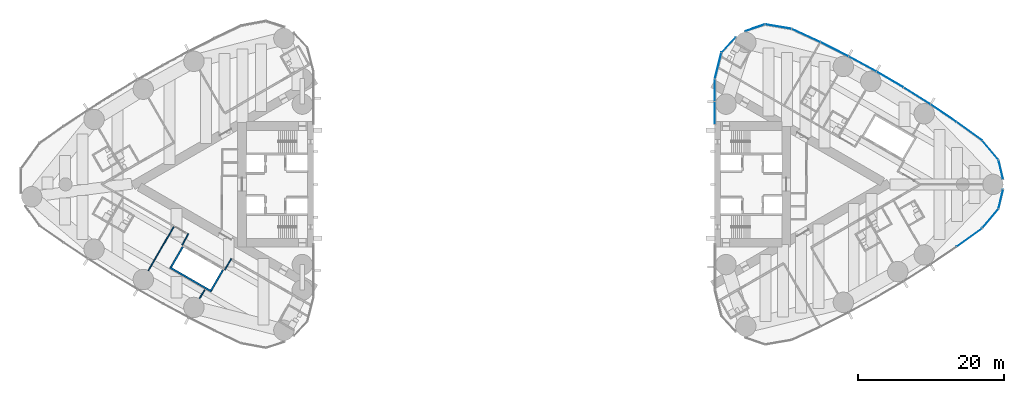
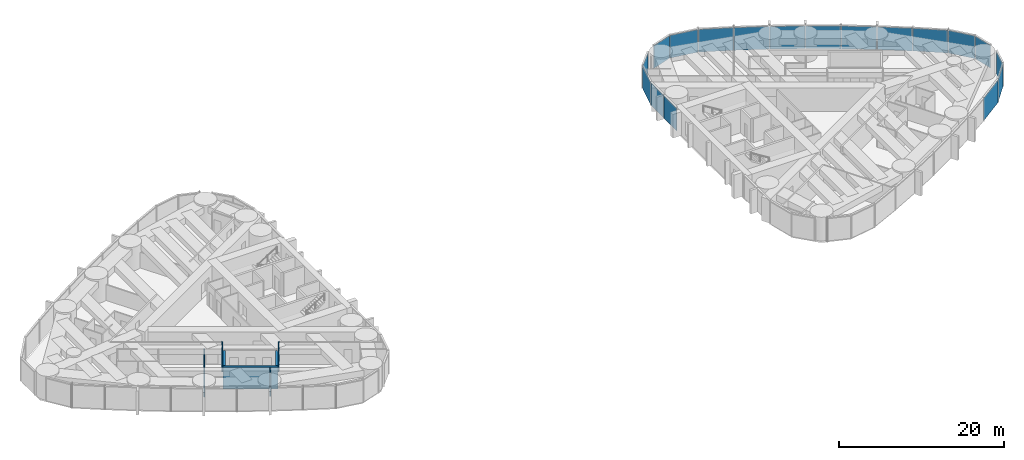
# One storey, part 11 of 19: 18 plates, 7 walls, 3 elements without a shape of their own.
"""IFC4 building model written with IfcOpenShell, lengths in metres."""

from ifc_helpers import new_model, si_unit, direction, frame, frame_2d, origin, origin_2d, place, context, subcontext, project, spatial, rectangle, extrude, material, layer, layer_set, type_object, element, aggregate, save


model = new_model("IFC4")

# Units and contexts
model_context = context("Model", 3, precision=1e-05, world=origin(), true_north=direction((0.0, 1.0)))
body_context = subcontext(model_context, "Body", "Model", "MODEL_VIEW")
ifc_project = project(units=[si_unit("LENGTHUNIT", "METRE"), si_unit("AREAUNIT", "SQUARE_METRE"), si_unit("VOLUMEUNIT", "CUBIC_METRE"), si_unit("PLANEANGLEUNIT", "RADIAN"), si_unit("MASSUNIT", "GRAM", prefix="KILO")], contexts=[model_context])

# Site, building, storey
site_placement = place(None, origin())
site = spatial("IfcSite", under=ifc_project, at=site_placement, CompositionType="ELEMENT")
building_placement = place(site_placement, origin())
building = spatial("IfcBuilding", under=site, at=building_placement, Name="Lancet Gate Hotel", CompositionType="ELEMENT")
storey_placement = place(building_placement, frame((0.0, 0.0, 163.300048828125)))
storey = spatial("IfcBuildingStorey", under=building, at=storey_placement, Name="L43", CompositionType="ELEMENT", Elevation=163.300048828125)

# Curtain wall, plates
ifc_material_1 = material(Name="Aluminium curtain wall", Category="aluminium")
curtain_wall_type = type_object("IfcCurtainWallType", Name="Tower unitised curtain wall", PredefinedType="USERDEFINED", material=ifc_material_1)
curtain_wall_1_placement = place(storey_placement, origin())
curtain_wall_1 = element("IfcCurtainWall", 1, at=curtain_wall_1_placement, inside=storey, type_object=curtain_wall_type, Name="T2 L43 curtain wall 2", ObjectType="UNITISED CURTAIN WALL", PredefinedType="USERDEFINED")
ifc_material_2 = material(Name="Glass double glazed unit 8-16-6", Category="glass")
ifc_layer_1 = layer(ifc_material_2, 0.030029296875)
ifc_layer_set_1 = layer_set([ifc_layer_1], Name="Vision panel double glazed")
plate_type = type_object("IfcPlateType", Name="Vision panel double glazed", PredefinedType="CURTAIN_PANEL", material=ifc_layer_set_1)
plate_1_placement = place(storey_placement, frame((62.417236328125, -7.279541015625, 0.0), z_axis=(0.0, 0.0, 1.0), x_axis=(0.810891442127, 0.585196607206, 0.0)))
plate_1 = element("IfcPlate", 2, at=plate_1_placement, type_object=plate_type, Name="T2 L43 curtain wall 2 panel 9", PredefinedType="CURTAIN_PANEL", context=body_context, shape_type="SweptSolid", body=[
    extrude(rectangle(XDim=4.26904296875, YDim=0.030029296875, at=origin_2d()), origin(), (0.0, 0.0, 1.0), 3.35009765625),
])
plate_2_placement = place(storey_placement, frame((65.283935546875, -4.68701171875, 0.0), z_axis=(0.0, 0.0, 1.0), x_axis=(0.642198636854, 0.766538264422, 0.0)))
plate_2 = element("IfcPlate", 3, at=plate_2_placement, type_object=plate_type, Name="T2 L43 curtain wall 2 panel 10", PredefinedType="CURTAIN_PANEL", context=body_context, shape_type="SweptSolid", body=[
    extrude(rectangle(XDim=3.390380859375, YDim=0.030029296875, at=origin_2d()), origin(), (0.0, 0.0, 1.0), 3.35009765625),
])
plate_3_placement = place(storey_placement, frame((66.710693359375, -2.0234375, 0.0), z_axis=(0.0, 0.0, 1.0), x_axis=(0.230366568544, 0.973103922558, 0.0)))
plate_3 = element("IfcPlate", 4, at=plate_3_placement, type_object=plate_type, Name="T2 L43 curtain wall 2 panel 11", PredefinedType="CURTAIN_PANEL", context=body_context, shape_type="SweptSolid", body=[
    extrude(rectangle(XDim=2.687255859375, YDim=0.030029296875, at=origin_2d()), origin(), (0.0, 0.0, 1.0), 3.35009765625),
])
aggregate(curtain_wall_1, [plate_1, plate_2, plate_3])

curtain_wall_2_placement = place(storey_placement, origin())
curtain_wall_2 = element("IfcCurtainWall", 5, at=curtain_wall_2_placement, inside=storey, type_object=curtain_wall_type, Name="T2 L43 curtain wall 3", ObjectType="UNITISED CURTAIN WALL", PredefinedType="USERDEFINED")
plate_4_placement = place(storey_placement, frame((66.710693359375, 2.0234375, 0.0), z_axis=(0.0, 0.0, 1.0), x_axis=(-0.230366568544, 0.973103922558, 0.0)))
plate_4 = element("IfcPlate", 6, at=plate_4_placement, type_object=plate_type, Name="T2 L43 curtain wall 3 panel 1", PredefinedType="CURTAIN_PANEL", context=body_context, shape_type="SweptSolid", body=[
    extrude(rectangle(XDim=2.687255859375, YDim=0.030029296875, at=origin_2d()), origin(), (0.0, 0.0, 1.0), 3.35009765625),
])
plate_5_placement = place(storey_placement, frame((65.283935546875, 4.68701171875, 0.0), z_axis=(0.0, 0.0, 1.0), x_axis=(-0.642198636854, 0.766538264422, 0.0)))
plate_5 = element("IfcPlate", 7, at=plate_5_placement, type_object=plate_type, Name="T2 L43 curtain wall 3 panel 2", PredefinedType="CURTAIN_PANEL", context=body_context, shape_type="SweptSolid", body=[
    extrude(rectangle(XDim=3.390380859375, YDim=0.030029296875, at=origin_2d()), origin(), (0.0, 0.0, 1.0), 3.35009765625),
])
plate_6_placement = place(storey_placement, frame((62.417236328125, 7.279541015625, 0.0), z_axis=(0.0, 0.0, 1.0), x_axis=(-0.810891442127, 0.585196607206, 0.0)))
plate_6 = element("IfcPlate", 8, at=plate_6_placement, type_object=plate_type, Name="T2 L43 curtain wall 3 panel 3", PredefinedType="CURTAIN_PANEL", context=body_context, shape_type="SweptSolid", body=[
    extrude(rectangle(XDim=4.26904296875, YDim=0.030029296875, at=origin_2d()), origin(), (0.0, 0.0, 1.0), 3.35009765625),
])
plate_7_placement = place(storey_placement, frame((58.863525390625, 9.75927734375, 0.0), z_axis=(0.0, 0.0, 1.0), x_axis=(-0.829038793948, 0.559191092677, 0.0)))
plate_7 = element("IfcPlate", 9, at=plate_7_placement, type_object=plate_type, Name="T2 L43 curtain wall 3 panel 4", PredefinedType="CURTAIN_PANEL", context=body_context, shape_type="SweptSolid", body=[
    extrude(rectangle(XDim=4.26904296875, YDim=0.030029296875, at=origin_2d()), origin(), (0.0, 0.0, 1.0), 3.35009765625),
])
plate_8_placement = place(storey_placement, frame((55.233154296875, 12.125244140625, 0.0), z_axis=(0.0, 0.0, 1.0), x_axis=(-0.846352453444, 0.532623248225, 0.0)))
plate_8 = element("IfcPlate", 10, at=plate_8_placement, type_object=plate_type, Name="T2 L43 curtain wall 3 panel 5", PredefinedType="CURTAIN_PANEL", context=body_context, shape_type="SweptSolid", body=[
    extrude(rectangle(XDim=4.26904296875, YDim=0.030029296875, at=origin_2d()), origin(), (0.0, 0.0, 1.0), 3.35009765625),
])
plate_9_placement = place(storey_placement, frame((51.529296875, 14.374755859375, 0.0), z_axis=(0.0, 0.0, 1.0), x_axis=(-0.862815009772, 0.505519790822, 0.0)))
plate_9 = element("IfcPlate", 11, at=plate_9_placement, type_object=plate_type, Name="T2 L43 curtain wall 3 panel 6", PredefinedType="CURTAIN_PANEL", context=body_context, shape_type="SweptSolid", body=[
    extrude(rectangle(XDim=4.26904296875, YDim=0.030029296875, at=origin_2d()), origin(), (0.0, 0.0, 1.0), 3.35009765625),
])
plate_10_placement = place(storey_placement, frame((47.756103515625, 16.505859375, 0.0), z_axis=(0.0, 0.0, 1.0), x_axis=(-0.878409907967, 0.477907976063, 0.0)))
plate_10 = element("IfcPlate", 12, at=plate_10_placement, type_object=plate_type, Name="T2 L43 curtain wall 3 panel 7", PredefinedType="CURTAIN_PANEL", context=body_context, shape_type="SweptSolid", body=[
    extrude(rectangle(XDim=4.26904296875, YDim=0.030029296875, at=origin_2d()), origin(), (0.0, 0.0, 1.0), 3.35009765625),
])
plate_11_placement = place(storey_placement, frame((43.917236328125, 18.516357421875, 0.0), z_axis=(0.0, 0.0, 1.0), x_axis=(-0.893121465596, 0.449815570752, 0.0)))
plate_11 = element("IfcPlate", 13, at=plate_11_placement, type_object=plate_type, Name="T2 L43 curtain wall 3 panel 8", PredefinedType="CURTAIN_PANEL", context=body_context, shape_type="SweptSolid", body=[
    extrude(rectangle(XDim=4.26904296875, YDim=0.030029296875, at=origin_2d()), origin(), (0.0, 0.0, 1.0), 3.35009765625),
])
plate_12_placement = place(storey_placement, frame((40.0166015625, 20.40380859375, 0.0), z_axis=(0.0, 0.0, 1.0), x_axis=(-0.906934888522, 0.421270824982, 0.0)))
plate_12 = element("IfcPlate", 14, at=plate_12_placement, type_object=plate_type, Name="T2 L43 curtain wall 3 panel 9", PredefinedType="CURTAIN_PANEL", context=body_context, shape_type="SweptSolid", body=[
    extrude(rectangle(XDim=4.26904296875, YDim=0.030029296875, at=origin_2d()), origin(), (0.0, 0.0, 1.0), 3.35009765625),
])
plate_13_placement = place(storey_placement, frame((36.231689453125, 21.629638671875, 0.0), z_axis=(0.0, 0.0, 1.0), x_axis=(-0.985539649572, 0.169444973729, 0.0)))
plate_13 = element("IfcPlate", 15, at=plate_13_placement, type_object=plate_type, Name="T2 L43 curtain wall 3 panel 10", PredefinedType="CURTAIN_PANEL", context=body_context, shape_type="SweptSolid", body=[
    extrude(rectangle(XDim=3.62744140625, YDim=0.030029296875, at=origin_2d()), origin(), (0.0, 0.0, 1.0), 3.35009765625),
])
plate_14_placement = place(storey_placement, frame((33.02197265625, 21.470703125, 0.0), z_axis=(0.0, 0.0, 1.0), x_axis=(-0.946952368511, -0.321373943827, 0.0)))
plate_14 = element("IfcPlate", 16, at=plate_14_placement, type_object=plate_type, Name="T2 L43 curtain wall 3 panel 11", PredefinedType="CURTAIN_PANEL", context=body_context, shape_type="SweptSolid", body=[
    extrude(rectangle(XDim=2.871337890625, YDim=0.030029296875, at=origin_2d()), origin(), (0.0, 0.0, 1.0), 3.35009765625),
])
aggregate(curtain_wall_2, [plate_4, plate_5, plate_6, plate_7, plate_8, plate_9, plate_10, plate_11, plate_12, plate_13, plate_14])

curtain_wall_3_placement = place(storey_placement, origin())
curtain_wall_3 = element("IfcCurtainWall", 17, at=curtain_wall_3_placement, inside=storey, type_object=curtain_wall_type, Name="T2 L43 curtain wall 4", ObjectType="UNITISED CURTAIN WALL", PredefinedType="USERDEFINED")
plate_15_placement = place(storey_placement, frame((29.4052734375, 19.122314453125, 0.0), z_axis=(0.0, 0.0, 1.0), x_axis=(-0.67883123083, -0.734294327943, 0.0)))
plate_15 = element("IfcPlate", 18, at=plate_15_placement, type_object=plate_type, Name="T2 L43 curtain wall 4 panel 1", PredefinedType="CURTAIN_PANEL", context=body_context, shape_type="SweptSolid", body=[
    extrude(rectangle(XDim=2.87060546875, YDim=0.030029296875, at=origin_2d()), origin(), (0.0, 0.0, 1.0), 3.35009765625),
])
plate_16_placement = place(storey_placement, frame((27.95458984375, 16.2548828125, 0.0), z_axis=(0.0, 0.0, 1.0), x_axis=(-0.246166705764, -0.969227503207, 0.0)))
plate_16 = element("IfcPlate", 19, at=plate_16_placement, type_object=plate_type, Name="T2 L43 curtain wall 4 panel 2", PredefinedType="CURTAIN_PANEL", context=body_context, shape_type="SweptSolid", body=[
    extrude(rectangle(XDim=3.62744140625, YDim=0.030029296875, at=origin_2d()), origin(), (0.0, 0.0, 1.0), 3.35009765625),
])
plate_17_placement = place(storey_placement, frame((27.5, 12.899169921875, 0.0), z_axis=(0.0, 0.0, 1.0), x_axis=(0.0, -1.0, 0.0)))
plate_17 = element("IfcPlate", 20, at=plate_17_placement, type_object=plate_type, Name="T2 L43 curtain wall 4 panel 3", PredefinedType="CURTAIN_PANEL", context=body_context, shape_type="SweptSolid", body=[
    extrude(rectangle(XDim=3.06787109375, YDim=0.030029296875, at=origin_2d()), origin(), (0.0, 0.0, 1.0), 3.35009765625),
])
plate_18_placement = place(storey_placement, frame((27.5, 9.766357421875, 0.0), z_axis=(0.0, 0.0, 1.0), x_axis=(0.0, -1.0, 0.0)))
plate_18 = element("IfcPlate", 21, at=plate_18_placement, type_object=plate_type, Name="T2 L43 curtain wall 4 panel 4", PredefinedType="CURTAIN_PANEL", context=body_context, shape_type="SweptSolid", body=[
    extrude(rectangle(XDim=3.06787109375, YDim=0.030029296875, at=origin_2d()), origin(), (0.0, 0.0, 1.0), 3.35009765625),
])
aggregate(curtain_wall_3, [plate_15, plate_16, plate_17, plate_18])

# Walls
ifc_material_3 = material(Name="Gypsum board partition")
ifc_layer_2 = layer(ifc_material_3, 0.25)
ifc_layer_set_2 = layer_set([ifc_layer_2], Name="Lift shaft partition 250")
wall_type_1 = type_object("IfcWallType", Name="Lift shaft partition 250", PredefinedType="PARTITIONING", material=ifc_layer_set_2)
wall_1_placement = place(storey_placement, frame((-41.482421875, -14.685791015625, 0.0), z_axis=(0.0, 0.0, 1.0), x_axis=(-0.86603344179, 0.499986077507, 0.0)))
element("IfcWall", 22, at=wall_1_placement, inside=storey, type_object=wall_type_1, Name="T1 lift shaft wall HL L43", PredefinedType="PARTITIONING", context=body_context, shape_type="SweptSolid", body=[
    extrude(rectangle(XDim=6.600341796875, YDim=0.25, at=frame_2d((3.30029296875, 0.0))), origin(), (0.0, 0.0, 1.0), 3.25),
])
for number, where, z_axis, x_axis, name in (
    (23, (-39.92822265625, -11.742919921875, 0.0), (0.0, 0.0, 1.0), (-0.499929347863, -0.866066190972, 0.0), "T1 lift shaft wall HL L43"),
    (24, (-45.427734375, -8.568115234375, 0.0), (0.0, 0.0, 1.0), (-0.499929347863, -0.866066190972, 0.0), "T1 lift shaft wall HL L43"),
):
    element("IfcWall", number, at=place(storey_placement, frame(where, z_axis=z_axis, x_axis=x_axis)), inside=storey, type_object=wall_type_1, Name=name, PredefinedType="PARTITIONING", context=body_context, shape_type="SweptSolid", body=[
        extrude(rectangle(XDim=3.20068359375, YDim=0.25, at=frame_2d((1.600341796875, 0.0))), origin(), (0.0, 0.0, 1.0), 3.25),
    ])
ifc_material_4 = material(Name="Gypsum board partition")
ifc_layer_3 = layer(ifc_material_4, 0.14990234375)
ifc_layer_set_3 = layer_set([ifc_layer_3], Name="Party wall 150")
wall_type_2 = type_object("IfcWallType", Name="Party wall 150", PredefinedType="PARTITIONING", material=ifc_layer_set_3)
wall_2_placement = place(storey_placement, frame((-46.6787109375, -5.8251953125, 0.0), z_axis=(0.0, 0.0, 1.0), x_axis=(-0.500006839597, -0.866021454905, 0.0)))
element("IfcWall", 25, at=wall_2_placement, inside=storey, type_object=wall_type_2, Name="T1 party wall 150 L43", PredefinedType="PARTITIONING", context=body_context, shape_type="SweptSolid", body=[
    extrude(rectangle(XDim=6.9111328125, YDim=0.14990234375, at=frame_2d((3.45556640625, 0.0))), origin(), (0.0, 0.0, 1.0), 2.300048828125),
])
wall_3_placement = place(storey_placement, frame((-42.429443359375, -14.45654296875, 0.0), z_axis=(0.0, 0.0, 1.0), x_axis=(-0.5000578829, -0.865991982497, 0.0)))
element("IfcWall", 26, at=wall_3_placement, inside=storey, type_object=wall_type_2, Name="T1 party wall 150 L43", PredefinedType="PARTITIONING", context=body_context, shape_type="SweptSolid", body=[
    extrude(rectangle(XDim=1.406982421875, YDim=0.14990234375, at=frame_2d((0.70361328125, 0.0))), origin(), (0.0, 0.0, 1.0), 3.25),
])
ifc_material_5 = material(Name="Gypsum board partition")
ifc_layer_4 = layer(ifc_material_5, 0.14990234375)
ifc_layer_set_4 = layer_set([ifc_layer_4], Name="Service room wall 150")
wall_type_3 = type_object("IfcWallType", Name="Service room wall 150", PredefinedType="PARTITIONING", material=ifc_layer_set_4)
for number, where, z_axis, x_axis, name in (
    (27, (-39.6826171875, -11.717529296875, 0.0), (0.0, 0.0, 1.0), (0.514336634837, 0.857588377991, 0.0), "T1 service room wall 150 L43"),
    (28, (-44.652099609375, -6.764404296875, 0.0), (0.0, 0.0, 1.0), (-0.485424724123, -0.874278466629, 0.0), "T1 service room wall 150 L43"),
):
    element("IfcWall", number, at=place(storey_placement, frame(where, z_axis=z_axis, x_axis=x_axis)), inside=storey, type_object=wall_type_3, Name=name, PredefinedType="PARTITIONING", context=body_context, shape_type="SweptSolid", body=[
        extrude(rectangle(XDim=1.80517578125, YDim=0.14990234375, at=frame_2d((0.902587890625, 0.0))), origin(), (0.0, 0.0, 1.0), 3.25),
    ])

save(model, "model.ifc")
